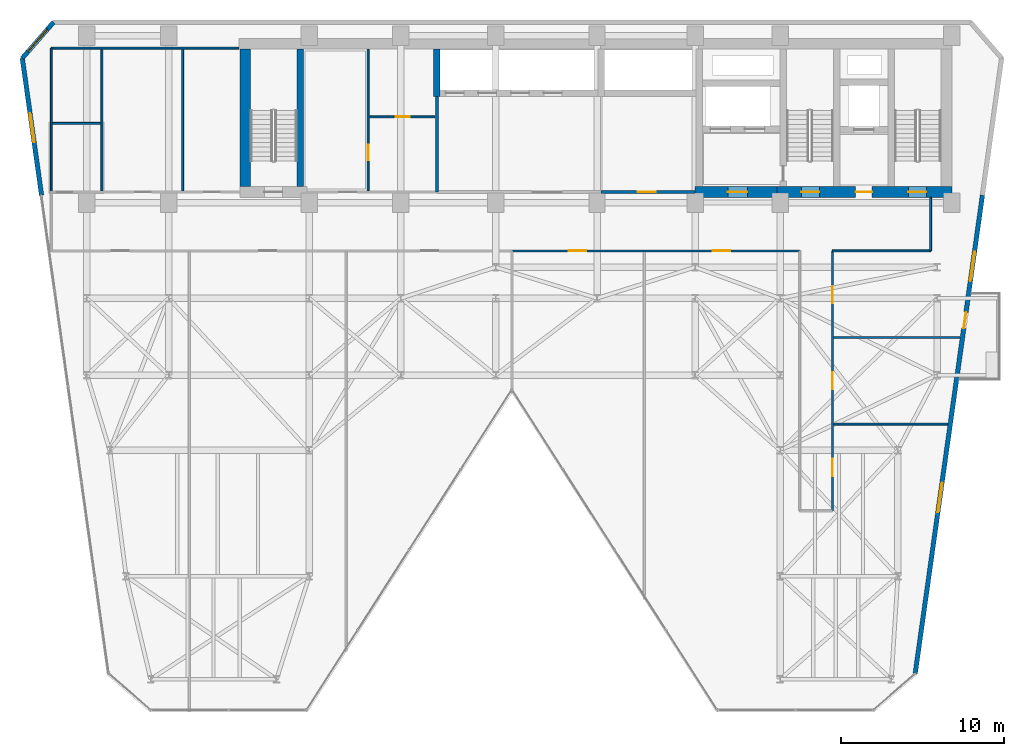
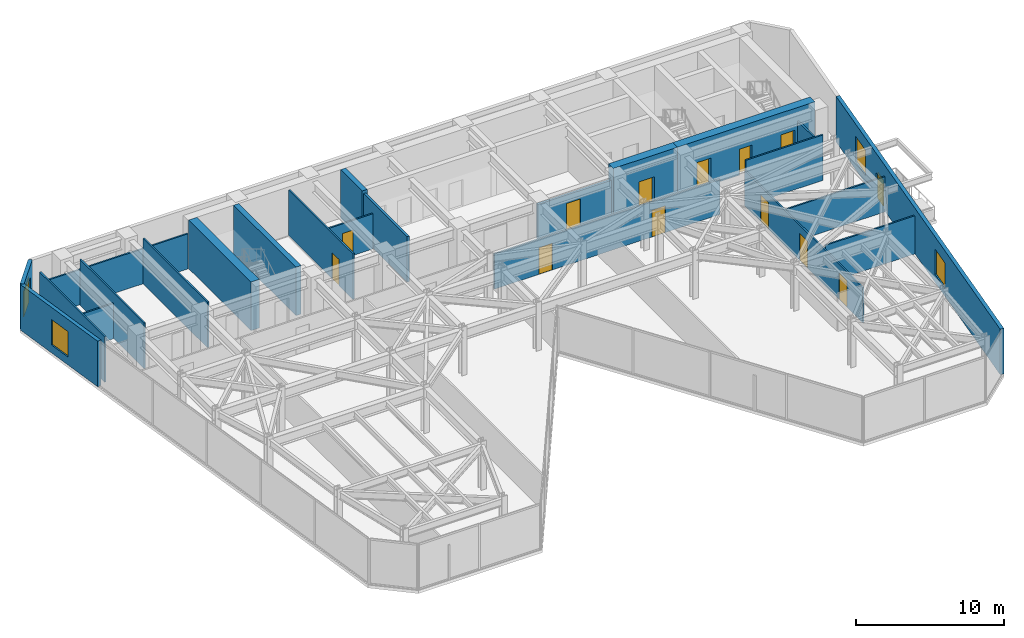
# One storey, part 22 of 26: 23 walls, 13 doors, 4 windows, 17 openings.
"""IFC4 building model written with IfcOpenShell, lengths in metres."""

import ifcopenshell
import ifcopenshell.guid

model = None  # the IFC model being written
_history = None  # IfcOwnerHistory: only IFC2X3 demands one
_inside = {}  # id of a spatial element -> (the spatial element, [elements in it])
_under = {}  # id of a project, library or spatial element -> (it, [spatial elements below it])
_declared = {}  # id of a project -> (the project, [libraries it declares])
_typed = {}  # id of a type object -> (the type object, [elements of that type])
_made_of = {}  # id of a material, layer set ... -> (it, [elements and type objects made of it])


def new_model(schema):
    """Start an empty IFC model of exactly this schema.

    Asked for "IFC4X3", IfcOpenShell would pick the latest addendum, in which some entities
    have other attributes; the version numbers below select the first issue.
    IFC2X3 requires an IfcOwnerHistory on every rooted entity: one is made here for all.
    """
    global model, _history
    if schema == "IFC4X3":
        model = ifcopenshell.file(schema_version=(4, 3, 0, 0))
    else:
        model = ifcopenshell.file(schema=schema)
    _inside.clear()
    _under.clear()
    _declared.clear()
    _typed.clear()
    _made_of.clear()
    _history = None
    if model.schema == "IFC2X3":
        org = make("IfcOrganization", Name="unknown")
        user = make(
            "IfcPersonAndOrganization",
            ThePerson=make("IfcPerson", FamilyName="unknown"),
            TheOrganization=org,
        )
        app = make(
            "IfcApplication",
            ApplicationDeveloper=org,
            Version="unknown",
            ApplicationFullName="unknown",
            ApplicationIdentifier="unknown",
        )
        _history = make(
            "IfcOwnerHistory",
            OwningUser=user,
            OwningApplication=app,
            ChangeAction="ADDED",
            CreationDate=0,
        )
    return model


def make(cls, **values):
    """One entity of the class cls with the attributes given. An attribute that is None is left unset."""
    return model.create_entity(
        cls, **{name: value for name, value in values.items() if value is not None}
    )


def rooted(cls, **values):
    """An entity with a GlobalId (a new one), such as an element, a storey or a relation."""
    return make(cls, GlobalId=ifcopenshell.guid.new(), OwnerHistory=_history, **values)


def si_unit(unit_type, name, prefix=None):
    """IfcSIUnit, for example si_unit("LENGTHUNIT", "METRE", prefix="MILLI")."""
    return make("IfcSIUnit", UnitType=unit_type, Prefix=prefix, Name=name)


def assignment(units):
    """IfcUnitAssignment: the units of a project."""
    return None if units is None else make("IfcUnitAssignment", Units=units)


def point(xyz):
    """IfcCartesianPoint."""
    return None if xyz is None else make("IfcCartesianPoint", Coordinates=xyz)


def direction(xyz):
    """IfcDirection."""
    return None if xyz is None else make("IfcDirection", DirectionRatios=xyz)


def frame(location, z_axis=None, x_axis=None):
    """IfcAxis2Placement3D, a coordinate frame: its origin and axes. An axis left out is left unset."""
    return make(
        "IfcAxis2Placement3D",
        Location=point(location),
        Axis=direction(z_axis),
        RefDirection=direction(x_axis),
    )


def frame_2d(location, x_axis=None):
    """IfcAxis2Placement2D, a coordinate frame in the plane: its origin and x axis."""
    return make(
        "IfcAxis2Placement2D", Location=point(location), RefDirection=direction(x_axis)
    )


def origin():
    """The frame at (0, 0, 0) with its axes left unset."""
    return frame((0.0, 0.0, 0.0))


def place(relative_to, where):
    """IfcLocalPlacement: puts the frame where relative to a parent placement (None: the world)."""
    return make(
        "IfcLocalPlacement", PlacementRelTo=relative_to, RelativePlacement=where
    )


def context(
    kind, dimensions, precision=None, world=None, true_north=None, identifier=None
):
    """IfcGeometricRepresentationContext, for example the 3D "Model" context."""
    return make(
        "IfcGeometricRepresentationContext",
        ContextIdentifier=identifier,
        ContextType=kind,
        CoordinateSpaceDimension=dimensions,
        Precision=precision,
        WorldCoordinateSystem=world,
        TrueNorth=true_north,
    )


def subcontext(parent, identifier, kind, view, scale=None):
    """IfcGeometricRepresentationSubContext, for example "Body" below "Model"."""
    return make(
        "IfcGeometricRepresentationSubContext",
        ContextIdentifier=identifier,
        ContextType=kind,
        ParentContext=parent,
        TargetScale=scale,
        TargetView=view,
    )


def project(units=None, contexts=None):
    """IfcProject with its units and contexts."""
    return rooted(
        "IfcProject",
        Name="project",
        RepresentationContexts=contexts,
        UnitsInContext=assignment(units),
    )


def spatial(cls, under=None, at=None, **own):
    """A site, building, storey or space (cls), placed at a placement, below another one or the project."""
    s = rooted(cls, ObjectPlacement=at, **own)
    if under is not None:
        _under.setdefault(under.id(), (under, []))[1].append(s)
    return s


def profile(cls, at=None, kind="AREA", **sizes):
    """A parametric profile (cls). Its sizes go by their IFC names, for example OverallWidth=200.0."""
    return make(cls, ProfileType=kind, Position=at, **sizes)


def rectangle(**sizes):
    """IfcRectangleProfileDef."""
    return profile("IfcRectangleProfileDef", **sizes)


def extrude(swept, where, along, depth):
    """IfcExtrudedAreaSolid: the profile swept, set in the frame where, extruded along a direction by depth."""
    return make(
        "IfcExtrudedAreaSolid",
        SweptArea=swept,
        Position=where,
        ExtrudedDirection=direction(along),
        Depth=depth,
    )


def shape(context_of_items, identifier, shape_type, items):
    """IfcShapeRepresentation: the items that make up one representation, for example the "Body"."""
    return make(
        "IfcShapeRepresentation",
        ContextOfItems=context_of_items,
        RepresentationIdentifier=identifier,
        RepresentationType=shape_type,
        Items=items,
    )


def material(Name=None, Category=None):
    """IfcMaterial."""
    return make("IfcMaterial", Name=Name, Category=Category)


def layer(
    of_material, thickness, ventilated=None, Name=None, Category=None, Priority=None
):
    """IfcMaterialLayer: one layer of a wall or slab, of a material (None: an air gap)."""
    return make(
        "IfcMaterialLayer",
        Material=of_material,
        LayerThickness=thickness,
        IsVentilated=ventilated,
        Name=Name,
        Category=Category,
        Priority=Priority,
    )


def layer_set(layers, Name=None):
    """IfcMaterialLayerSet."""
    return make("IfcMaterialLayerSet", MaterialLayers=layers, LayerSetName=Name)


def made_of(thing, what):
    """Note that an element or type object is made of a material, layer set ...; save() writes the relation."""
    if what is not None:
        _made_of.setdefault(what.id(), (what, []))[1].append(thing)
    return thing


def type_object(cls, material=None, **own):
    """A type object (cls), such as IfcWallType, which elements share."""
    return made_of(rooted(cls, **own), material)


def element(
    cls,
    number,
    at=None,
    inside=None,
    cuts=None,
    type_object=None,
    material=None,
    context=None,
    identifier="Body",
    shape_type=None,
    held_by="IfcProductDefinitionShape",
    body=None,
    shapes=None,
    **own,
):
    """One element of the class cls, such as IfcWall. Its Tag is "e" and its number.

    at: its placement. inside: the storey or other place that contains it. cuts: it is an
    opening in that element (IfcRelVoidsElement). A single representation is given by context,
    identifier, shape_type and body (its items); several are given by shapes. held_by: the class
    of the entity that holds the representations. save() writes the other relations.
    """
    e = rooted(cls, Tag="e%d" % number, ObjectPlacement=at, **own)
    if body is not None:
        shapes = [shape(context, identifier, shape_type, body)]
    if shapes is not None:
        e.Representation = make(held_by, Representations=shapes)
    if inside is not None:
        _inside.setdefault(inside.id(), (inside, []))[1].append(e)
    if cuts is not None:
        rooted(
            "IfcRelVoidsElement", RelatingBuildingElement=cuts, RelatedOpeningElement=e
        )
    if type_object is not None:
        _typed.setdefault(type_object.id(), (type_object, []))[1].append(e)
    return made_of(e, material)


def fill(opening, filler):
    """IfcRelFillsElement: the door or window that sits in an opening."""
    return rooted(
        "IfcRelFillsElement",
        RelatingOpeningElement=opening,
        RelatedBuildingElement=filler,
    )


def aggregate(whole, parts):
    """IfcRelAggregates: a whole, such as a stair, and the parts it consists of."""
    return rooted("IfcRelAggregates", RelatingObject=whole, RelatedObjects=parts)


def save(model, path):
    """Write the relations noted so far, then the file.

    IfcRelAggregates (storeys below a building ...), IfcRelContainedInSpatialStructure (elements
    in a storey), IfcRelDefinesByType, IfcRelAssociatesMaterial and IfcRelDeclares: one each for
    every whole, place, type object, material and project.
    """
    for whole, parts in _under.values():
        aggregate(whole, parts)
    for where, things in _inside.values():
        rooted(
            "IfcRelContainedInSpatialStructure",
            RelatedElements=things,
            RelatingStructure=where,
        )
    for kind, things in _typed.values():
        rooted("IfcRelDefinesByType", RelatedObjects=things, RelatingType=kind)
    for what, things in _made_of.values():
        rooted("IfcRelAssociatesMaterial", RelatedObjects=things, RelatingMaterial=what)
    for by, libraries in _declared.values():
        rooted("IfcRelDeclares", RelatingContext=by, RelatedDefinitions=libraries)
    model.write(path)


model = new_model("IFC4")

# Units and contexts
model_context = context("Model", 3, precision=1e-05, world=origin(), true_north=direction((0.0, 1.0)))
body_context = subcontext(model_context, "Body", "Model", "MODEL_VIEW")
ifc_project = project(units=[si_unit("LENGTHUNIT", "METRE"), si_unit("AREAUNIT", "SQUARE_METRE"), si_unit("VOLUMEUNIT", "CUBIC_METRE"), si_unit("PLANEANGLEUNIT", "RADIAN"), si_unit("MASSUNIT", "GRAM", prefix="KILO")], contexts=[model_context])

# Site, building, storey
site_placement = place(None, origin())
site = spatial("IfcSite", under=ifc_project, at=site_placement, CompositionType="ELEMENT")
building_placement = place(site_placement, origin())
building = spatial("IfcBuilding", under=site, at=building_placement, Name="Kravanh Interchange Tower", CompositionType="ELEMENT")
storey_placement = place(building_placement, frame((0.0, 0.0, 128.0)))
storey = spatial("IfcBuildingStorey", under=building, at=storey_placement, Name="L30", CompositionType="ELEMENT", Elevation=128.0)

# Wall, opening, door
ifc_material_1 = material(Name="Double Acoustic Gypsum Board and Mineral Wool")
ifc_layer_1 = layer(ifc_material_1, 0.1201171875)
ifc_layer_set_1 = layer_set([ifc_layer_1], Name="Acoustic Office Drywall Partition 120mm")
wall_type_1 = type_object("IfcWallType", Name="Acoustic Office Drywall Partition 120mm", PredefinedType="PARTITIONING", material=ifc_layer_set_1)
wall_1_placement = place(storey_placement, frame((30.800048828125, 38.068115234375, 0.0), z_axis=(0.0, 0.0, 1.0), x_axis=(0.0, 1.0, 0.0)))
wall_1 = element("IfcWall", 1, at=wall_1_placement, inside=storey, type_object=wall_type_1, Name="L30 Interior Partition 4", PredefinedType="PARTITIONING", context=body_context, shape_type="SweptSolid", body=[
    extrude(rectangle(XDim=8.673828125, YDim=0.1201171875, at=frame_2d((4.3369140625, 0.0))), origin(), (0.0, 0.0, 1.0), 3.75),
])
opening_1_placement = place(wall_1_placement, frame((1.865234375, 0.0, 0.0)))
opening_1 = element("IfcOpeningElement", 2, at=opening_1_placement, cuts=wall_1, Name="Opening D-95", PredefinedType="OPENING", context=body_context, shape_type="SweptSolid", body=[
    extrude(rectangle(XDim=0.949951171875, YDim=2.14990234375, at=frame_2d((0.47509765625, 1.074951171875))), frame((0.0, 0.070068359375, 0.0), z_axis=(0.0, -1.0, 0.0), x_axis=(1.0, 0.0, 0.0)), (0.0, 0.0, 1.0), 0.14013671875),
])
ifc_material_2 = material(Name="Laminate Solid-Core Timber", Category="wood")
door_type_1 = type_object("IfcDoorType", Name="Accessible Restroom Door 950x2150", OperationType="NOTDEFINED", PredefinedType="DOOR", material=ifc_material_2)
door_1_placement = place(opening_1_placement, origin())
door_1 = element("IfcDoor", 3, at=door_1_placement, inside=storey, type_object=door_type_1, Name="L30 Copy Hub Inner Door", OperationType="SINGLE_SWING_RIGHT", OverallHeight=2.14990234375, OverallWidth=0.949951171875, PredefinedType="DOOR", context=body_context, shape_type="SweptSolid", body=[
    extrude(rectangle(XDim=0.949951171875, YDim=2.14990234375, at=frame_2d((0.47509765625, 1.074951171875))), frame((0.0, 0.02490234375, 0.0), z_axis=(0.0, -1.0, 0.0), x_axis=(1.0, 0.0, 0.0)), (0.0, 0.0, 1.0), 0.050048828125),
])
fill(opening_1, door_1)

wall_2_placement = place(storey_placement, frame((30.867919921875, 42.60009765625, 0.0), z_axis=(0.0, 0.0, 1.0), x_axis=(1.0, 0.0, 0.0)))
wall_2 = element("IfcWall", 4, at=wall_2_placement, inside=storey, type_object=wall_type_1, Name="L30 Interior Partition 5", PredefinedType="PARTITIONING", context=body_context, shape_type="SweptSolid", body=[
    extrude(rectangle(XDim=4.01416015625, YDim=0.1201171875, at=frame_2d((2.007080078125, 0.0))), origin(), (0.0, 0.0, 1.0), 2.89404296875),
])
opening_2_placement = place(wall_2_placement, frame((1.622314453125, 0.0, 0.0)))
opening_2 = element("IfcOpeningElement", 5, at=opening_2_placement, cuts=wall_2, Name="Opening D-85", PredefinedType="OPENING", context=body_context, shape_type="SweptSolid", body=[
    extrude(rectangle(XDim=0.85009765625, YDim=2.10009765625, at=frame_2d((0.425048828125, 1.050048828125))), frame((0.0, 0.070068359375, 0.0), z_axis=(0.0, -1.0, 0.0), x_axis=(1.0, 0.0, 0.0)), (0.0, 0.0, 1.0), 0.14013671875),
])
ifc_material_3 = material(Name="Engineered Teak Veneer Timber", Category="wood")
door_type_2 = type_object("IfcDoorType", Name="En-Suite Timber Door 850x2100", OperationType="NOTDEFINED", PredefinedType="DOOR", material=ifc_material_3)
door_2_placement = place(opening_2_placement, origin())
door_2 = element("IfcDoor", 6, at=door_2_placement, inside=storey, type_object=door_type_2, Name="L30 Records Store Inner Door", OperationType="SINGLE_SWING_LEFT", OverallHeight=2.10009765625, OverallWidth=0.85009765625, PredefinedType="DOOR", context=body_context, shape_type="SweptSolid", body=[
    extrude(rectangle(XDim=0.85009765625, YDim=2.10009765625, at=frame_2d((0.425048828125, 1.050048828125))), frame((0.0, 0.02490234375, 0.0), z_axis=(0.0, -1.0, 0.0), x_axis=(1.0, 0.0, 0.0)), (0.0, 0.0, 1.0), 0.050048828125),
])
fill(opening_2, door_2)

# Walls
wall_3_placement = place(storey_placement, frame((11.419921875, 38.0, 0.0), z_axis=(0.0, 0.0, 1.0), x_axis=(0.0, 1.0, 0.0)))
element("IfcWall", 7, at=wall_3_placement, inside=storey, type_object=wall_type_1, Name="L30 Restroom West Enclosure 8", PredefinedType="PARTITIONING", context=body_context, shape_type="SweptSolid", body=[
    extrude(rectangle(XDim=8.800048828125, YDim=0.1201171875, at=frame_2d((4.39990234375, 0.0))), origin(), (0.0, 0.0, 1.0), 3.75),
])
wall_4_placement = place(storey_placement, frame((11.419921875, 46.800048828125, 0.0), z_axis=(0.0, 0.0, 1.0), x_axis=(1.0, 0.0, 0.0)))
element("IfcWall", 8, at=wall_4_placement, inside=storey, type_object=wall_type_1, Name="L30 Restroom North Enclosure 9", PredefinedType="PARTITIONING", context=body_context, shape_type="SweptSolid", body=[
    extrude(rectangle(XDim=11.47998046875, YDim=0.1201171875, at=frame_2d((5.739990234375, 0.0))), origin(), (0.0, 0.0, 1.0), 2.89404296875),
])
for number, where, z_axis, x_axis, name in (
    (9, (14.52001953125, 38.068115234375, 0.0), (0.0, 0.0, 1.0), (0.0, 1.0, 0.0), "L30 Interior Partition 10"),
    (10, (19.449951171875, 38.068115234375, 0.0), (0.0, 0.0, 1.0), (0.0, 1.0, 0.0), "L30 Interior Partition 11"),
):
    element("IfcWall", number, at=place(storey_placement, frame(where, z_axis=z_axis, x_axis=x_axis)), inside=storey, type_object=wall_type_1, Name=name, PredefinedType="PARTITIONING", context=body_context, shape_type="SweptSolid", body=[
        extrude(rectangle(XDim=8.663818359375, YDim=0.1201171875, at=frame_2d((4.33203125, 0.0))), origin(), (0.0, 0.0, 1.0), 3.75),
    ])
wall_5_placement = place(storey_placement, frame((11.488037109375, 42.199951171875, 0.0), z_axis=(0.0, 0.0, 1.0), x_axis=(1.0, 0.0, 0.0)))
element("IfcWall", 11, at=wall_5_placement, inside=storey, type_object=wall_type_1, Name="L30 Interior Partition 12", PredefinedType="PARTITIONING", context=body_context, shape_type="SweptSolid", body=[
    extrude(rectangle(XDim=2.9638671875, YDim=0.1201171875, at=frame_2d((1.48193359375, 0.0))), origin(), (0.0, 0.0, 1.0), 2.89404296875),
])

# Wall, openings, doors
wall_6_placement = place(storey_placement, frame((39.60009765625, 34.39990234375, 0.0), z_axis=(0.0, 0.0, 1.0), x_axis=(1.0, 0.0, 0.0)))
wall_6 = element("IfcWall", 12, at=wall_6_placement, inside=storey, type_object=wall_type_1, Name="L30 Interior Partition 14", PredefinedType="PARTITIONING", context=body_context, shape_type="SweptSolid", body=[
    extrude(rectangle(XDim=17.599853515625, YDim=0.1201171875, at=frame_2d((8.7998046875, 0.0))), origin(), (0.0, 0.0, 1.0), 2.89404296875),
])
opening_3_placement = place(wall_6_placement, frame((3.484619140625, 0.0, 0.0)))
opening_3 = element("IfcOpeningElement", 13, at=opening_3_placement, cuts=wall_6, Name="Opening D-105", PredefinedType="OPENING", context=body_context, shape_type="SweptSolid", body=[
    extrude(rectangle(XDim=1.050048828125, YDim=2.199951171875, at=frame_2d((0.52490234375, 1.10009765625))), frame((0.0, 0.070068359375, 0.0), z_axis=(0.0, -1.0, 0.0), x_axis=(1.0, 0.0, 0.0)), (0.0, 0.0, 1.0), 0.14013671875),
])
opening_4_placement = place(wall_6_placement, frame((12.284912109375, 0.0, 0.0)))
opening_4 = element("IfcOpeningElement", 14, at=opening_4_placement, cuts=wall_6, Name="Opening D-105", PredefinedType="OPENING", context=body_context, shape_type="SweptSolid", body=[
    extrude(rectangle(XDim=1.050048828125, YDim=2.199951171875, at=frame_2d((0.52490234375, 1.10009765625))), frame((0.0, 0.070068359375, 0.0), z_axis=(0.0, -1.0, 0.0), x_axis=(1.0, 0.0, 0.0)), (0.0, 0.0, 1.0), 0.14013671875),
])
ifc_material_4 = material(Name="Acoustic Glazed Oak and Aluminium", Category="aluminium")
door_type_3 = type_object("IfcDoorType", Name="Office Workplace Door 1050x2200", OperationType="NOTDEFINED", PredefinedType="DOOR", material=ifc_material_4)
door_3_placement = place(opening_3_placement, origin())
door_3 = element("IfcDoor", 15, at=door_3_placement, inside=storey, type_object=door_type_3, Name="L30 Executive Boardroom 2 Door", OperationType="SINGLE_SWING_LEFT", OverallHeight=2.199951171875, OverallWidth=1.050048828125, PredefinedType="DOOR", context=body_context, shape_type="SweptSolid", body=[
    extrude(rectangle(XDim=1.050048828125, YDim=2.199951171875, at=frame_2d((0.52490234375, 1.10009765625))), frame((0.0, 0.02490234375, 0.0), z_axis=(0.0, -1.0, 0.0), x_axis=(1.0, 0.0, 0.0)), (0.0, 0.0, 1.0), 0.050048828125),
])
fill(opening_3, door_3)
door_4_placement = place(opening_4_placement, origin())
door_4 = element("IfcDoor", 16, at=door_4_placement, inside=storey, type_object=door_type_3, Name="L30 Staff Kitchenette Door", OperationType="SINGLE_SWING_RIGHT", OverallHeight=2.199951171875, OverallWidth=1.050048828125, PredefinedType="DOOR", context=body_context, shape_type="SweptSolid", body=[
    extrude(rectangle(XDim=1.050048828125, YDim=2.199951171875, at=frame_2d((0.52490234375, 1.10009765625))), frame((0.0, 0.02490234375, 0.0), z_axis=(0.0, -1.0, 0.0), x_axis=(1.0, 0.0, 0.0)), (0.0, 0.0, 1.0), 0.050048828125),
])
fill(opening_4, door_4)

# Walls
wall_7_placement = place(storey_placement, frame((59.199951171875, 34.39990234375, 0.0), z_axis=(0.0, 0.0, 1.0), x_axis=(1.0, 0.0, 0.0)))
element("IfcWall", 17, at=wall_7_placement, inside=storey, type_object=wall_type_1, Name="L30 Interior Partition 15", PredefinedType="PARTITIONING", context=body_context, shape_type="SweptSolid", body=[
    extrude(rectangle(XDim=6.0, YDim=0.1201171875, at=frame_2d((3.0, 0.0))), origin(), (0.0, 0.0, 1.0), 3.75),
])
wall_8_placement = place(storey_placement, frame((65.199951171875, 34.39990234375, 0.0), z_axis=(0.0, 0.0, 1.0), x_axis=(0.0, 1.0, 0.0)))
element("IfcWall", 18, at=wall_8_placement, inside=storey, type_object=wall_type_1, Name="L30 Interior Partition 17", PredefinedType="PARTITIONING", context=body_context, shape_type="SweptSolid", body=[
    extrude(rectangle(XDim=3.26708984375, YDim=0.1201171875, at=frame_2d((1.633544921875, 0.0))), origin(), (0.0, 0.0, 1.0), 2.89404296875),
])

# Wall, openings, doors
wall_9_placement = place(storey_placement, frame((59.199951171875, 18.5, 0.0), z_axis=(0.0, 0.0, 1.0), x_axis=(0.0, 1.0, 0.0)))
wall_9 = element("IfcWall", 19, at=wall_9_placement, inside=storey, type_object=wall_type_1, Name="L30 Interior Partition 19", PredefinedType="PARTITIONING", context=body_context, shape_type="SweptSolid", body=[
    extrude(rectangle(XDim=15.89990234375, YDim=0.1201171875, at=frame_2d((7.949951171875, 0.0))), origin(), (0.0, 0.0, 1.0), 2.89404296875),
])
opening_5_placement = place(wall_9_placement, frame((2.125, 0.0, 0.0)))
opening_5 = element("IfcOpeningElement", 20, at=opening_5_placement, cuts=wall_9, Name="Opening D-105", PredefinedType="OPENING", context=body_context, shape_type="SweptSolid", body=[
    extrude(rectangle(XDim=1.050048828125, YDim=2.199951171875, at=frame_2d((0.52490234375, 1.10009765625))), frame((0.0, 0.070068359375, 0.0), z_axis=(0.0, -1.0, 0.0), x_axis=(1.0, 0.0, 0.0)), (0.0, 0.0, 1.0), 0.14013671875),
])
opening_6_placement = place(wall_9_placement, frame((7.425048828125, 0.0, 0.0)))
opening_6 = element("IfcOpeningElement", 21, at=opening_6_placement, cuts=wall_9, Name="Opening D-105", PredefinedType="OPENING", context=body_context, shape_type="SweptSolid", body=[
    extrude(rectangle(XDim=1.050048828125, YDim=2.199951171875, at=frame_2d((0.52490234375, 1.10009765625))), frame((0.0, 0.070068359375, 0.0), z_axis=(0.0, -1.0, 0.0), x_axis=(1.0, 0.0, 0.0)), (0.0, 0.0, 1.0), 0.14013671875),
])
opening_7_placement = place(wall_9_placement, frame((12.699951171875, 0.0, 0.0)))
opening_7 = element("IfcOpeningElement", 22, at=opening_7_placement, cuts=wall_9, Name="Opening D-105", PredefinedType="OPENING", context=body_context, shape_type="SweptSolid", body=[
    extrude(rectangle(XDim=1.050048828125, YDim=2.199951171875, at=frame_2d((0.52490234375, 1.10009765625))), frame((0.0, 0.070068359375, 0.0), z_axis=(0.0, -1.0, 0.0), x_axis=(1.0, 0.0, 0.0)), (0.0, 0.0, 1.0), 0.14013671875),
])
door_5_placement = place(opening_5_placement, origin())
door_5 = element("IfcDoor", 23, at=door_5_placement, inside=storey, type_object=door_type_3, Name="L30 SE Seminar Meeting 3 Door", OperationType="SINGLE_SWING_LEFT", OverallHeight=2.199951171875, OverallWidth=1.050048828125, PredefinedType="DOOR", context=body_context, shape_type="SweptSolid", body=[
    extrude(rectangle(XDim=1.050048828125, YDim=2.199951171875, at=frame_2d((0.52490234375, 1.10009765625))), frame((0.0, 0.02490234375, 0.0), z_axis=(0.0, -1.0, 0.0), x_axis=(1.0, 0.0, 0.0)), (0.0, 0.0, 1.0), 0.050048828125),
])
fill(opening_5, door_5)
door_6_placement = place(opening_6_placement, origin())
door_6 = element("IfcDoor", 24, at=door_6_placement, inside=storey, type_object=door_type_3, Name="L30 East Balcony Office 4 Door", OperationType="SINGLE_SWING_RIGHT", OverallHeight=2.199951171875, OverallWidth=1.050048828125, PredefinedType="DOOR", context=body_context, shape_type="SweptSolid", body=[
    extrude(rectangle(XDim=1.050048828125, YDim=2.199951171875, at=frame_2d((0.52490234375, 1.10009765625))), frame((0.0, 0.02490234375, 0.0), z_axis=(0.0, -1.0, 0.0), x_axis=(1.0, 0.0, 0.0)), (0.0, 0.0, 1.0), 0.050048828125),
])
fill(opening_6, door_6)
door_7_placement = place(opening_7_placement, origin())
door_7 = element("IfcDoor", 25, at=door_7_placement, inside=storey, type_object=door_type_3, Name="L30 Records Store Door", OperationType="SINGLE_SWING_LEFT", OverallHeight=2.199951171875, OverallWidth=1.050048828125, PredefinedType="DOOR", context=body_context, shape_type="SweptSolid", body=[
    extrude(rectangle(XDim=1.050048828125, YDim=2.199951171875, at=frame_2d((0.52490234375, 1.10009765625))), frame((0.0, 0.02490234375, 0.0), z_axis=(0.0, -1.0, 0.0), x_axis=(1.0, 0.0, 0.0)), (0.0, 0.0, 1.0), 0.050048828125),
])
fill(opening_7, door_7)

# Walls
wall_10_placement = place(storey_placement, frame((59.26806640625, 23.800048828125, 0.0), z_axis=(0.0, 0.0, 1.0), x_axis=(1.0, 0.0, 0.0)))
element("IfcWall", 26, at=wall_10_placement, inside=storey, type_object=wall_type_1, Name="L30 Interior Partition 21", PredefinedType="PARTITIONING", context=body_context, shape_type="SweptSolid", body=[
    extrude(rectangle(XDim=6.97265625, YDim=0.1201171875, at=frame_2d((3.486328125, 0.0))), origin(), (0.0, 0.0, 1.0), 3.14208984375),
])
wall_11_placement = place(storey_placement, frame((59.26806640625, 29.10009765625, 0.0), z_axis=(0.0, 0.0, 1.0), x_axis=(1.0, 0.0, 0.0)))
element("IfcWall", 27, at=wall_11_placement, inside=storey, type_object=wall_type_1, Name="L30 Interior Partition 22", PredefinedType="PARTITIONING", context=body_context, shape_type="SweptSolid", body=[
    extrude(rectangle(XDim=7.717529296875, YDim=0.1201171875, at=frame_2d((3.85888671875, 0.0))), origin(), (0.0, 0.0, 1.0), 2.89404296875),
])

# Wall, openings, doors
ifc_material_5 = material(Name="Concrete C70/85", Category="concrete")
ifc_layer_2 = layer(ifc_material_5, 0.64990234375)
ifc_layer_set_2 = layer_set([ifc_layer_2], Name="Core Shear Wall Concrete C70/85 650mm")
wall_type_2 = type_object("IfcWallType", Name="Core Shear Wall Concrete C70/85 650mm", PredefinedType="SHEAR", material=ifc_layer_set_2)
wall_12_placement = place(storey_placement, frame((55.800048828125, 38.0, 0.0), z_axis=(0.0, 0.0, 1.0), x_axis=(1.0, 0.0, 0.0)))
wall_12 = element("IfcWall", 28, at=wall_12_placement, inside=storey, type_object=wall_type_2, Name="L30 East Core South Shear Wall", PredefinedType="SHEAR", context=body_context, shape_type="SweptSolid", body=[
    extrude(rectangle(XDim=10.699951171875, YDim=0.64990234375, at=frame_2d((5.35009765625, 0.0))), origin(), (0.0, 0.0, 1.0), 4.0),
])
opening_8_placement = place(wall_12_placement, frame((1.5, 0.0, 0.0)))
opening_8 = element("IfcOpeningElement", 29, at=opening_8_placement, cuts=wall_12, Name="Opening D-STAIR-110", PredefinedType="OPENING", context=body_context, shape_type="SweptSolid", body=[
    extrude(rectangle(XDim=1.10009765625, YDim=2.199951171875, at=frame_2d((0.550048828125, 1.10009765625))), frame((0.0, 0.3349609375, 0.0), z_axis=(0.0, -1.0, 0.0), x_axis=(1.0, 0.0, 0.0)), (0.0, 0.0, 1.0), 0.669921875),
])
opening_9_placement = place(wall_12_placement, frame((4.820068359375, 0.0, 0.0)))
opening_9 = element("IfcOpeningElement", 30, at=opening_9_placement, cuts=wall_12, Name="Opening D-HOTEL-100", PredefinedType="OPENING", context=body_context, shape_type="SweptSolid", body=[
    extrude(rectangle(XDim=1.0, YDim=2.14990234375, at=frame_2d((0.5, 1.074951171875))), frame((0.0, 0.3349609375, 0.0), z_axis=(0.0, -1.0, 0.0), x_axis=(1.0, 0.0, 0.0)), (0.0, 0.0, 1.0), 0.669921875),
])
opening_10_placement = place(wall_12_placement, frame((8.050048828125, 0.0, 0.0)))
opening_10 = element("IfcOpeningElement", 31, at=opening_10_placement, cuts=wall_12, Name="Opening D-STAIR-110", PredefinedType="OPENING", context=body_context, shape_type="SweptSolid", body=[
    extrude(rectangle(XDim=1.10009765625, YDim=2.199951171875, at=frame_2d((0.550048828125, 1.10009765625))), frame((0.0, 0.3349609375, 0.0), z_axis=(0.0, -1.0, 0.0), x_axis=(1.0, 0.0, 0.0)), (0.0, 0.0, 1.0), 0.669921875),
])
ifc_material_6 = material(Name="Structural Steel S355", Category="steel")
door_type_4 = type_object("IfcDoorType", Name="Fire-Rated Exit Stair Door 1100x2200", OperationType="NOTDEFINED", PredefinedType="DOOR", material=ifc_material_6)
door_8_placement = place(opening_8_placement, origin())
door_8 = element("IfcDoor", 32, at=door_8_placement, inside=storey, type_object=door_type_4, Name="L30 Exit Stair ST2 Door", OperationType="SINGLE_SWING_RIGHT", OverallHeight=2.199951171875, OverallWidth=1.10009765625, PredefinedType="DOOR", context=body_context, shape_type="SweptSolid", body=[
    extrude(rectangle(XDim=1.10009765625, YDim=2.199951171875, at=frame_2d((0.550048828125, 1.10009765625))), frame((0.0, 0.02490234375, 0.0), z_axis=(0.0, -1.0, 0.0), x_axis=(1.0, 0.0, 0.0)), (0.0, 0.0, 1.0), 0.050048828125),
])
fill(opening_8, door_8)
door_9_placement = place(opening_10_placement, origin())
door_9 = element("IfcDoor", 33, at=door_9_placement, inside=storey, type_object=door_type_4, Name="L30 Exit Stair ST1 Door", OperationType="SINGLE_SWING_RIGHT", OverallHeight=2.199951171875, OverallWidth=1.10009765625, PredefinedType="DOOR", context=body_context, shape_type="SweptSolid", body=[
    extrude(rectangle(XDim=1.10009765625, YDim=2.199951171875, at=frame_2d((0.550048828125, 1.10009765625))), frame((0.0, 0.02490234375, 0.0), z_axis=(0.0, -1.0, 0.0), x_axis=(1.0, 0.0, 0.0)), (0.0, 0.0, 1.0), 0.050048828125),
])
fill(opening_10, door_9)
ifc_material_7 = material(Name="Fire-Rated Solid Timber Leaf", Category="wood")
door_type_5 = type_object("IfcDoorType", Name="Fire-Rated Suite Entrance Door 1000x2150", OperationType="NOTDEFINED", PredefinedType="DOOR", material=ifc_material_7)
door_10_placement = place(opening_9_placement, origin())
door_10 = element("IfcDoor", 34, at=door_10_placement, inside=storey, type_object=door_type_5, Name="L30 Service Lift Lobby Door", OperationType="SINGLE_SWING_RIGHT", OverallHeight=2.14990234375, OverallWidth=1.0, PredefinedType="DOOR", context=body_context, shape_type="SweptSolid", body=[
    extrude(rectangle(XDim=1.0, YDim=2.14990234375, at=frame_2d((0.5, 1.074951171875))), frame((0.0, 0.02490234375, 0.0), z_axis=(0.0, -1.0, 0.0), x_axis=(1.0, 0.0, 0.0)), (0.0, 0.0, 1.0), 0.050048828125),
])
fill(opening_9, door_10)

# Wall, opening, door
wall_13_placement = place(storey_placement, frame((50.800048828125, 38.0, 0.0), z_axis=(0.0, 0.0, 1.0), x_axis=(1.0, 0.0, 0.0)))
wall_13 = element("IfcWall", 35, at=wall_13_placement, inside=storey, type_object=wall_type_2, Name="L30 Firefighting Lobby South Shear Wall", PredefinedType="SHEAR", context=body_context, shape_type="SweptSolid", body=[
    extrude(rectangle(XDim=5.0, YDim=0.64990234375, at=frame_2d((2.5, 0.0))), origin(), (0.0, 0.0, 1.0), 4.0),
])
opening_11_placement = place(wall_13_placement, frame((2.0, 0.0, 0.0)))
opening_11 = element("IfcOpeningElement", 36, at=opening_11_placement, cuts=wall_13, Name="Opening D-FSAE-120", PredefinedType="OPENING", context=body_context, shape_type="SweptSolid", body=[
    extrude(rectangle(XDim=1.199951171875, YDim=2.199951171875, at=frame_2d((0.60009765625, 1.10009765625))), frame((0.0, 0.3349609375, 0.0), z_axis=(0.0, -1.0, 0.0), x_axis=(1.0, 0.0, 0.0)), (0.0, 0.0, 1.0), 0.669921875),
])
ifc_material_8 = material(Name="Structural Steel S355", Category="steel")
door_type_6 = type_object("IfcDoorType", Name="Fire-Rated Refuge and FSAE Door 1200x2200", OperationType="NOTDEFINED", PredefinedType="DOOR", material=ifc_material_8)
door_11_placement = place(opening_11_placement, origin())
door_11 = element("IfcDoor", 37, at=door_11_placement, inside=storey, type_object=door_type_6, Name="L30 Firefighting Lobby Corridor Door", OperationType="SINGLE_SWING_RIGHT", OverallHeight=2.199951171875, OverallWidth=1.199951171875, PredefinedType="DOOR", context=body_context, shape_type="SweptSolid", body=[
    extrude(rectangle(XDim=1.199951171875, YDim=2.199951171875, at=frame_2d((0.60009765625, 1.10009765625))), frame((0.0, 0.02490234375, 0.0), z_axis=(0.0, -1.0, 0.0), x_axis=(1.0, 0.0, 0.0)), (0.0, 0.0, 1.0), 0.050048828125),
])
fill(opening_11, door_11)

# Walls
wall_14_placement = place(storey_placement, frame((23.27490234375, 38.324951171875, 0.0), z_axis=(0.0, 0.0, 1.0), x_axis=(0.0, 1.0, 0.0)))
element("IfcWall", 38, at=wall_14_placement, inside=storey, type_object=wall_type_2, Name="L30 Stair ST3 West Shear Wall", PredefinedType="SHEAR", context=body_context, shape_type="SweptSolid", body=[
    extrude(rectangle(XDim=8.425048828125, YDim=0.64990234375, at=frame_2d((4.21240234375, 0.0))), origin(), (0.0, 0.0, 1.0), 4.0),
])
ifc_material_9 = material(Name="Concrete C80/95", Category="concrete")
ifc_layer_3 = layer(ifc_material_9, 0.39990234375)
ifc_layer_set_3 = layer_set([ifc_layer_3], Name="Core Shear Wall Concrete C80/95 400mm")
wall_type_3 = type_object("IfcWallType", Name="Core Shear Wall Concrete C80/95 400mm", PredefinedType="SHEAR", material=ifc_layer_set_3)
wall_15_placement = place(storey_placement, frame((35.0, 43.85009765625, 0.0), z_axis=(0.0, 0.0, 1.0), x_axis=(0.0, 1.0, 0.0)))
element("IfcWall", 39, at=wall_15_placement, inside=storey, type_object=wall_type_3, Name="L30 Mid-Rise Lift Shaft West Wall", PredefinedType="SHEAR", context=body_context, shape_type="SweptSolid", body=[
    extrude(rectangle(XDim=2.89990234375, YDim=0.39990234375, at=frame_2d((1.449951171875, 0.0))), origin(), (0.0, 0.0, 1.0), 4.0),
])
wall_16_placement = place(storey_placement, frame((26.64990234375, 38.324951171875, 0.0), z_axis=(0.0, 0.0, 1.0), x_axis=(0.0, 1.0, 0.0)))
element("IfcWall", 40, at=wall_16_placement, inside=storey, type_object=wall_type_3, Name="L30 Stair ST3 East Shear Wall", PredefinedType="SHEAR", context=body_context, shape_type="SweptSolid", body=[
    extrude(rectangle(XDim=8.425048828125, YDim=0.39990234375, at=frame_2d((4.21240234375, 0.0))), origin(), (0.0, 0.0, 1.0), 4.0),
])

# Wall, opening, window
ifc_material_10 = material(Name="Insulated Precast Concrete C40/50 with Bronze Cladding", Category="concrete")
ifc_layer_4 = layer(ifc_material_10, 0.280029296875)
ifc_layer_set_4 = layer_set([ifc_layer_4], Name="Exterior Insulated Concrete C40/50 Bronze Spandrel Wall 280mm")
wall_type_4 = type_object("IfcWallType", Name="Exterior Insulated Concrete C40/50 Bronze Spandrel Wall 280mm", PredefinedType="STANDARD", material=ifc_layer_set_4)
wall_17_placement = place(storey_placement, frame((10.824951171875, 37.800048828125, 0.0), z_axis=(0.0, 0.0, 1.0), x_axis=(-0.139180610108, 0.990267013371, 0.0)))
wall_17 = element("IfcWall", 41, at=wall_17_placement, inside=storey, type_object=wall_type_4, Name="L30 Exterior Wall 1", PredefinedType="STANDARD", context=body_context, shape_type="SweptSolid", body=[
    extrude(rectangle(XDim=8.46728515625, YDim=0.280029296875, at=frame_2d((4.233642578125, 0.0))), origin(), (0.0, 0.0, 1.0), 3.75),
])
opening_12_placement = place(wall_17_placement, frame((3.273193359375, 0.0, 0.64990234375)))
opening_12 = element("IfcOpeningElement", 42, at=opening_12_placement, cuts=wall_17, Name="Opening WN-180X210", PredefinedType="OPENING", context=body_context, shape_type="SweptSolid", body=[
    extrude(rectangle(XDim=1.800048828125, YDim=2.10009765625, at=frame_2d((0.89990234375, 1.050048828125))), frame((0.0, 0.14990234375, 0.0), z_axis=(0.0, -1.0, 0.0), x_axis=(1.0, 0.0, 0.0)), (0.0, 0.0, 1.0), 0.300048828125),
])
ifc_material_11 = material(Name="Thermally Broken Bronze Aluminium and Low-E Glass", Category="aluminium")
window_type = type_object("IfcWindowType", Name="Tower Pier Window 1800x2100", PartitioningType="SINGLE_PANEL", PredefinedType="WINDOW", material=ifc_material_11)
window_1_placement = place(opening_12_placement, origin())
window_1 = element("IfcWindow", 43, at=window_1_placement, inside=storey, type_object=window_type, Name="L30 Corner Window 1", OverallHeight=2.10009765625, OverallWidth=1.800048828125, PartitioningType="SINGLE_PANEL", PredefinedType="WINDOW", context=body_context, shape_type="SweptSolid", body=[
    extrude(rectangle(XDim=1.800048828125, YDim=2.10009765625, at=frame_2d((0.89990234375, 1.050048828125))), frame((0.0, 0.030029296875, 0.0), z_axis=(0.0, -1.0, 0.0), x_axis=(1.0, 0.0, 0.0)), (0.0, 0.0, 1.0), 0.06005859375),
])
fill(opening_12, window_1)

wall_18_placement = place(storey_placement, frame((9.646484375, 46.184814453125, 0.0), z_axis=(0.0, 0.0, 1.0), x_axis=(0.656070644076, 0.754699483226, 0.0)))
wall_18 = element("IfcWall", 44, at=wall_18_placement, inside=storey, type_object=wall_type_4, Name="L30 Exterior Wall 2", PredefinedType="STANDARD", context=body_context, shape_type="SweptSolid", body=[
    extrude(rectangle(XDim=2.908447265625, YDim=0.280029296875, at=frame_2d((1.4541015625, 0.0))), origin(), (0.0, 0.0, 1.0), 3.75),
])
opening_13_placement = place(wall_18_placement, frame((0.541015625, 0.0, 0.64990234375)))
opening_13 = element("IfcOpeningElement", 45, at=opening_13_placement, cuts=wall_18, Name="Opening WN-180X210", PredefinedType="OPENING", context=body_context, shape_type="SweptSolid", body=[
    extrude(rectangle(XDim=1.800048828125, YDim=2.10009765625, at=frame_2d((0.89990234375, 1.050048828125))), frame((0.0, 0.14990234375, 0.0), z_axis=(0.0, -1.0, 0.0), x_axis=(1.0, 0.0, 0.0)), (0.0, 0.0, 1.0), 0.300048828125),
])
window_2_placement = place(opening_13_placement, origin())
window_2 = element("IfcWindow", 46, at=window_2_placement, inside=storey, type_object=window_type, Name="L30 Corner Window 2", OverallHeight=2.10009765625, OverallWidth=1.800048828125, PartitioningType="SINGLE_PANEL", PredefinedType="WINDOW", context=body_context, shape_type="SweptSolid", body=[
    extrude(rectangle(XDim=1.800048828125, YDim=2.10009765625, at=frame_2d((0.89990234375, 1.050048828125))), frame((0.0, 0.030029296875, 0.0), z_axis=(0.0, -1.0, 0.0), x_axis=(1.0, 0.0, 0.0)), (0.0, 0.0, 1.0), 0.06005859375),
])
fill(opening_13, window_2)

# Wall, openings, door, windows
wall_19_placement = place(storey_placement, frame((68.375, 37.800048828125, 0.0), z_axis=(0.0, 0.0, 1.0), x_axis=(-0.13917001236, -0.990268502811, 0.0)))
wall_19 = element("IfcWall", 47, at=wall_19_placement, inside=storey, type_object=wall_type_4, Name="L30 Exterior Wall 6", PredefinedType="STANDARD", context=body_context, shape_type="SweptSolid", body=[
    extrude(rectangle(XDim=29.548828125, YDim=0.280029296875, at=frame_2d((14.7744140625, 0.0))), origin(), (0.0, 0.0, 1.0), 3.75),
])
opening_14_placement = place(wall_19_placement, frame((7.215576171875, 0.0, 0.0)))
opening_14 = element("IfcOpeningElement", 48, at=opening_14_placement, cuts=wall_19, Name="Opening ED-BAL100", PredefinedType="OPENING", context=body_context, shape_type="SweptSolid", body=[
    extrude(rectangle(XDim=1.0, YDim=2.14990234375, at=frame_2d((0.5, 1.074951171875))), frame((0.0, 0.14990234375, 0.0), z_axis=(0.0, -1.0, 0.0), x_axis=(1.0, 0.0, 0.0)), (0.0, 0.0, 1.0), 0.300048828125),
])
opening_15_placement = place(wall_19_placement, frame((3.4912109375, 0.0, 0.64990234375)))
opening_15 = element("IfcOpeningElement", 49, at=opening_15_placement, cuts=wall_19, Name="Opening WN-180X210", PredefinedType="OPENING", context=body_context, shape_type="SweptSolid", body=[
    extrude(rectangle(XDim=1.800048828125, YDim=2.10009765625, at=frame_2d((0.89990234375, 1.050048828125))), frame((0.0, 0.14990234375, 0.0), z_axis=(0.0, -1.0, 0.0), x_axis=(1.0, 0.0, 0.0)), (0.0, 0.0, 1.0), 0.300048828125),
])
opening_16_placement = place(wall_19_placement, frame((17.775634765625, 0.0, 0.64990234375)))
opening_16 = element("IfcOpeningElement", 50, at=opening_16_placement, cuts=wall_19, Name="Opening WN-180X210", PredefinedType="OPENING", context=body_context, shape_type="SweptSolid", body=[
    extrude(rectangle(XDim=1.800048828125, YDim=2.10009765625, at=frame_2d((0.89990234375, 1.050048828125))), frame((0.0, 0.14990234375, 0.0), z_axis=(0.0, -1.0, 0.0), x_axis=(1.0, 0.0, 0.0)), (0.0, 0.0, 1.0), 0.300048828125),
])
ifc_material_12 = material(Name="Thermally Broken Bronze Aluminium and Laminated Glass", Category="aluminium")
door_type_7 = type_object("IfcDoorType", Name="Balcony Glazed Door 1000x2150", OperationType="NOTDEFINED", PredefinedType="DOOR", material=ifc_material_12)
door_12_placement = place(opening_14_placement, origin())
door_12 = element("IfcDoor", 51, at=door_12_placement, inside=storey, type_object=door_type_7, Name="L30 E Tree Balcony Access Door", OperationType="SINGLE_SWING_LEFT", OverallHeight=2.14990234375, OverallWidth=1.0, PredefinedType="DOOR", context=body_context, shape_type="SweptSolid", body=[
    extrude(rectangle(XDim=1.0, YDim=2.14990234375, at=frame_2d((0.5, 1.074951171875))), frame((0.0, 0.02490234375, 0.0), z_axis=(0.0, -1.0, 0.0), x_axis=(1.0, 0.0, 0.0)), (0.0, 0.0, 1.0), 0.050048828125),
])
fill(opening_14, door_12)
window_3_placement = place(opening_15_placement, origin())
window_3 = element("IfcWindow", 52, at=window_3_placement, inside=storey, type_object=window_type, Name="L30 Facade Window 6A", OverallHeight=2.10009765625, OverallWidth=1.800048828125, PartitioningType="SINGLE_PANEL", PredefinedType="WINDOW", context=body_context, shape_type="SweptSolid", body=[
    extrude(rectangle(XDim=1.800048828125, YDim=2.10009765625, at=frame_2d((0.89990234375, 1.050048828125))), frame((0.0, 0.030029296875, 0.0), z_axis=(0.0, -1.0, 0.0), x_axis=(1.0, 0.0, 0.0)), (0.0, 0.0, 1.0), 0.06005859375),
])
fill(opening_15, window_3)
window_4_placement = place(opening_16_placement, origin())
window_4 = element("IfcWindow", 53, at=window_4_placement, inside=storey, type_object=window_type, Name="L30 Facade Window 6B", OverallHeight=2.10009765625, OverallWidth=1.800048828125, PartitioningType="SINGLE_PANEL", PredefinedType="WINDOW", context=body_context, shape_type="SweptSolid", body=[
    extrude(rectangle(XDim=1.800048828125, YDim=2.10009765625, at=frame_2d((0.89990234375, 1.050048828125))), frame((0.0, 0.030029296875, 0.0), z_axis=(0.0, -1.0, 0.0), x_axis=(1.0, 0.0, 0.0)), (0.0, 0.0, 1.0), 0.06005859375),
])
fill(opening_16, window_4)

# Wall, opening, door
ifc_material_13 = material(Name="Autoclaved Aerated Concrete C30/37 Blockwork", Category="masonry")
ifc_layer_5 = layer(ifc_material_13, 0.179931640625)
ifc_layer_set_5 = layer_set([ifc_layer_5], Name="Fire-Rated Lobby and Corridor Wall Concrete C30/37 180mm")
wall_type_5 = type_object("IfcWallType", Name="Fire-Rated Lobby and Corridor Wall Concrete C30/37 180mm", PredefinedType="STANDARD", material=ifc_layer_set_5)
wall_20_placement = place(storey_placement, frame((45.050048828125, 38.0, 0.0), z_axis=(0.0, 0.0, 1.0), x_axis=(1.0, 0.0, 0.0)))
wall_20 = element("IfcWall", 54, at=wall_20_placement, inside=storey, type_object=wall_type_5, Name="L30 Core South Enclosure 1", PredefinedType="STANDARD", context=body_context, shape_type="SweptSolid", body=[
    extrude(rectangle(XDim=5.75, YDim=0.179931640625, at=frame_2d((2.875, 0.0))), origin(), (0.0, 0.0, 1.0), 2.89404296875),
])
opening_17_placement = place(wall_20_placement, frame((2.240478515625, 0.0, 0.0)))
opening_17 = element("IfcOpeningElement", 55, at=opening_17_placement, cuts=wall_20, Name="Opening D-SHAFT-110", PredefinedType="OPENING", context=body_context, shape_type="SweptSolid", body=[
    extrude(rectangle(XDim=1.10009765625, YDim=2.199951171875, at=frame_2d((0.550048828125, 1.10009765625))), frame((0.0, 0.10009765625, 0.0), z_axis=(0.0, -1.0, 0.0), x_axis=(1.0, 0.0, 0.0)), (0.0, 0.0, 1.0), 0.199951171875),
])
ifc_material_14 = material(Name="Fire-Rated Composite Timber Leaf", Category="wood")
door_type_8 = type_object("IfcDoorType", Name="Fire-Rated Core Support Door 1100x2200", OperationType="NOTDEFINED", PredefinedType="DOOR", material=ifc_material_14)
door_13_placement = place(opening_17_placement, origin())
door_13 = element("IfcDoor", 56, at=door_13_placement, inside=storey, type_object=door_type_8, Name="L30 Core AHU Fan Room Door", OperationType="SINGLE_SWING_RIGHT", OverallHeight=2.199951171875, OverallWidth=1.10009765625, PredefinedType="DOOR", context=body_context, shape_type="SweptSolid", body=[
    extrude(rectangle(XDim=1.10009765625, YDim=2.199951171875, at=frame_2d((0.550048828125, 1.10009765625))), frame((0.0, 0.02490234375, 0.0), z_axis=(0.0, -1.0, 0.0), x_axis=(1.0, 0.0, 0.0)), (0.0, 0.0, 1.0), 0.050048828125),
])
fill(opening_17, door_13)

# Wall
wall_21_placement = place(storey_placement, frame((35.0, 38.0, 0.0), z_axis=(0.0, 0.0, 1.0), x_axis=(0.0, 1.0, 0.0)))
element("IfcWall", 57, at=wall_21_placement, inside=storey, type_object=wall_type_5, Name="L30 Interior Partition 3", PredefinedType="STANDARD", context=body_context, shape_type="SweptSolid", body=[
    extrude(rectangle(XDim=5.85009765625, YDim=0.179931640625, at=frame_2d((2.925048828125, 0.0))), origin(), (0.0, 0.0, 1.0), 3.75),
])

save(model, "model.ifc")
